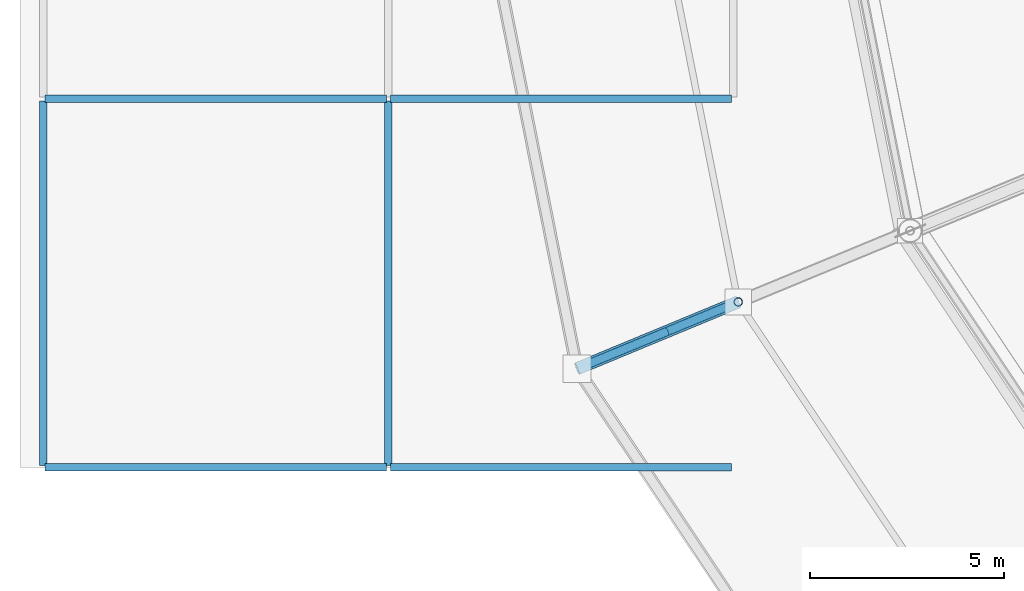
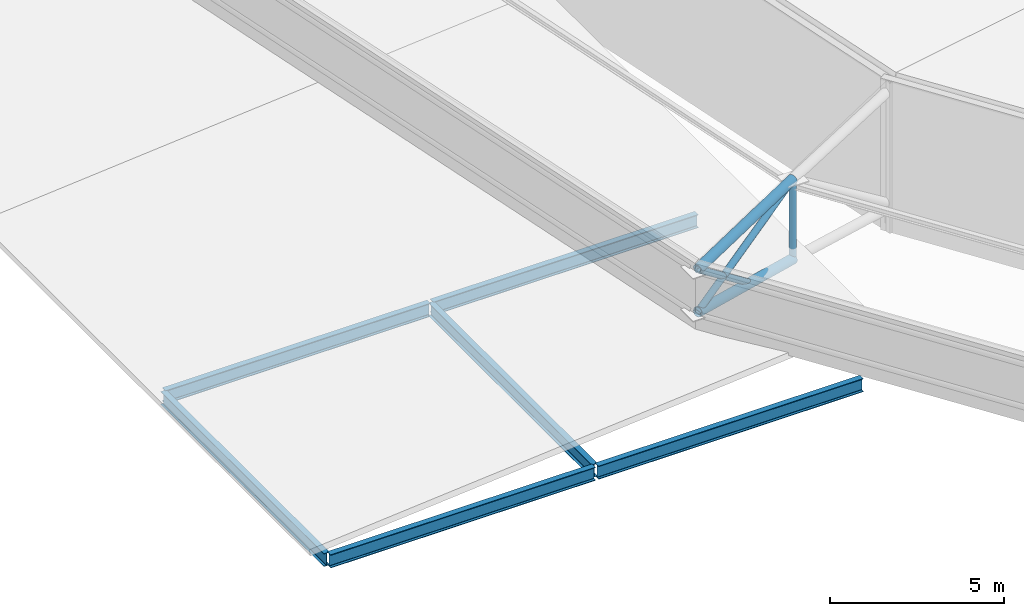
# One storey, part 20 of 146: 6 beams, 5 members.
"""IFC4 building model written with IfcOpenShell, lengths in metres."""

from ifc_helpers import new_model, si_unit, direction, frame, origin, origin_2d, place, context, subcontext, project, spatial, hollow_circle, i_section, extrude, material, material_profile, profile_set, type_object, element, save


model = new_model("IFC4")

# Units and contexts
model_context = context("Model", 3, precision=1e-05, world=origin(), true_north=direction((0.0, 1.0)))
body_context = subcontext(model_context, "Body", "Model", "MODEL_VIEW")
ifc_project = project(units=[si_unit("LENGTHUNIT", "METRE"), si_unit("AREAUNIT", "SQUARE_METRE"), si_unit("VOLUMEUNIT", "CUBIC_METRE"), si_unit("PLANEANGLEUNIT", "RADIAN"), si_unit("MASSUNIT", "GRAM", prefix="KILO")], contexts=[model_context])

# Site, building, storey
site_placement = place(None, origin())
site = spatial("IfcSite", under=ifc_project, at=site_placement, CompositionType="ELEMENT")
building_placement = place(site_placement, origin())
building = spatial("IfcBuilding", under=site, at=building_placement, Name="Candeia Ridge Stadium", CompositionType="ELEMENT")
storey_placement = place(building_placement, frame((0.0, 0.0, 31.800048828125)))
storey = spatial("IfcBuildingStorey", under=building, at=storey_placement, Name="RF", CompositionType="ELEMENT", Elevation=31.800048828125)

# Beams
ifc_material = material(Name="Steel ASTM A572 Grade 50", Category="steel")
ifc_material_profile_1 = material_profile(ifc_material, i_section(OverallWidth=0.194091796875, OverallDepth=0.468994140625, WebThickness=0.0126953125, FlangeThickness=0.0205078125, FilletRadius=0.012939453125, at=origin_2d()), Name="W460x106", Category="steel")
ifc_profile_set_1 = profile_set([ifc_material_profile_1], Name="Steel ASTM A572 Grade 50")
beam_type_1 = type_object("IfcBeamType", Name="Gondola Primary Girder W460x106", PredefinedType="BEAM", material=ifc_profile_set_1)
for number, where, z_axis, x_axis, name in (
    (1, (0.64990234375, 45.0, -0.58447265625), (1.0, 0.0, 0.0), (0.0, 1.0, 0.0), "Structural girder BM-RF-1439"),
    (2, (0.64990234375, 54.5, -0.58447265625), (1.0, 0.0, 0.0), (0.0, 1.0, 0.0), "Structural girder BM-RF-1440"),
    (3, (9.550048828125, 45.0, -0.58447265625), (1.0, 0.0, 0.0), (0.0, 1.0, 0.0), "Structural girder BM-RF-1444"),
    (4, (9.550048828125, 54.5, -0.58447265625), (1.0, 0.0, 0.0), (0.0, 1.0, 0.0), "Structural girder BM-RF-1445"),
):
    element("IfcBeam", number, at=place(storey_placement, frame(where, z_axis=z_axis, x_axis=x_axis)), inside=storey, type_object=beam_type_1, Name=name, PredefinedType="BEAM", context=body_context, shape_type="SweptSolid", body=[
        extrude(i_section(OverallWidth=0.194091796875, OverallDepth=0.468994140625, WebThickness=0.0126953125, FlangeThickness=0.0205078125, FilletRadius=0.012939453125, at=origin_2d()), origin(), (0.0, 0.0, 1.0), 8.800048828125),
    ])
ifc_material_profile_2 = material_profile(ifc_material, i_section(OverallWidth=0.18994140625, OverallDepth=0.45703125, WebThickness=0.009033203125, FlangeThickness=0.014404296875, FilletRadius=0.012939453125, at=origin_2d()), Name="W460x74", Category="steel")
ifc_profile_set_2 = profile_set([ifc_material_profile_2], Name="Steel ASTM A572 Grade 50")
beam_type_2 = type_object("IfcBeamType", Name="Pavilion Steel Girder W460x74", PredefinedType="BEAM", material=ifc_profile_set_2)
for number, where, z_axis, x_axis, name in (
    (5, (0.60009765625, 45.050048828125, -0.57861328125), (0.0, 1.0, 0.0), (-1.0, 0.0, 0.0), "Structural girder BM-RF-1419"),
    (6, (9.5, 45.050048828125, -0.57861328125), (0.0, 1.0, 0.0), (-1.0, 0.0, 0.0), "Structural girder BM-RF-1427"),
):
    element("IfcBeam", number, at=place(storey_placement, frame(where, z_axis=z_axis, x_axis=x_axis)), inside=storey, type_object=beam_type_2, Name=name, PredefinedType="BEAM", context=body_context, shape_type="SweptSolid", body=[
        extrude(i_section(OverallWidth=0.18994140625, OverallDepth=0.45703125, WebThickness=0.009033203125, FlangeThickness=0.014404296875, FilletRadius=0.012939453125, at=origin_2d()), origin(), (0.0, 0.0, 1.0), 9.39990234375),
    ])

# Members
ifc_material_profile_3 = material_profile(ifc_material, hollow_circle(Radius=0.161865234375, WallThickness=0.012451171875, at=origin_2d()), Name="CHS323x12", Category="steel")
ifc_profile_set_3 = profile_set([ifc_material_profile_3], Name="Steel ASTM A572 Grade 50")
member_type_1 = type_object("IfcMemberType", Name="Roof Truss Eaves Chord CHS323x12", PredefinedType="CHORD", material=ifc_profile_set_3)
member_1_placement = place(storey_placement, frame((18.523681640625, 49.263671875, 3.958251953125), z_axis=(-0.913584487427, -0.378438250885, -0.148821620067), x_axis=(0.382699975578, -0.923872679915, 0.0)))
element("IfcMember", 7, at=member_1_placement, inside=storey, type_object=member_type_1, Name="Roof cantilever truss RT-16 top chord 8", PredefinedType="CHORD", context=body_context, shape_type="SweptSolid", body=[
    extrude(hollow_circle(Radius=0.161865234375, WallThickness=0.012451171875, at=origin_2d()), origin(), (0.0, 0.0, 1.0), 4.55078125),
])
member_2_placement = place(storey_placement, frame((18.523681640625, 49.263671875, 1.15185546875), z_axis=(-0.914973571928, -0.379013657665, 0.138463027474), x_axis=(0.382699975578, -0.923872679915, 0.0)))
element("IfcMember", 8, at=member_2_placement, inside=storey, type_object=member_type_1, Name="Roof cantilever truss RT-16 bottom chord 8", PredefinedType="CHORD", context=body_context, shape_type="SweptSolid", body=[
    extrude(hollow_circle(Radius=0.161865234375, WallThickness=0.012451171875, at=origin_2d()), origin(), (0.0, 0.0, 1.0), 4.543701171875),
])
ifc_material_profile_4 = material_profile(ifc_material, hollow_circle(Radius=0.109619140625, WallThickness=0.010009765625, at=origin_2d()), Name="CHS219x10", Category="steel")
ifc_profile_set_4 = profile_set([ifc_material_profile_4], Name="Steel ASTM A572 Grade 50")
member_type_2 = type_object("IfcMemberType", Name="Roof Truss Inner Web Brace CHS219x10", PredefinedType="BRACE", material=ifc_profile_set_4)
member_3_placement = place(storey_placement, frame((18.523681640625, 49.263671875, 3.958251953125), z_axis=(-0.831646749952, -0.344496809804, -0.435529139472), x_axis=(0.382699975578, -0.923872679915, 0.0)))
element("IfcMember", 9, at=member_3_placement, inside=storey, type_object=member_type_2, Name="Roof cantilever truss RT-16 diagonal web 8", PredefinedType="BRACE", context=body_context, shape_type="SweptSolid", body=[
    extrude(hollow_circle(Radius=0.109619140625, WallThickness=0.010009765625, at=origin_2d()), origin(), (0.0, 0.0, 1.0), 4.9990234375),
])
member_4_placement = place(storey_placement, frame((18.523681640625, 49.263671875, 1.15185546875), z_axis=(0.0, 0.0, 1.0), x_axis=(1.0, 0.0, 0.0)))
element("IfcMember", 10, at=member_4_placement, inside=storey, type_object=member_type_2, Name="Roof cantilever truss RT-16 vertical post 7", PredefinedType="BRACE", context=body_context, shape_type="SweptSolid", body=[
    extrude(hollow_circle(Radius=0.109619140625, WallThickness=0.010009765625, at=origin_2d()), origin(), (0.0, 0.0, 1.0), 2.806396484375),
])
member_5_placement = place(storey_placement, frame((16.65283203125, 48.488525390625, 1.43505859375), z_axis=(-0.740592396504, -0.306721963062, 0.597866657054), x_axis=(0.382639293348, -0.923897814256, 0.0)))
element("IfcMember", 11, at=member_5_placement, inside=storey, type_object=member_type_2, Name="Roof cantilever truss RT-16 vertical post 8", PredefinedType="BRACE", context=body_context, shape_type="SweptSolid", body=[
    extrude(hollow_circle(Radius=0.109619140625, WallThickness=0.010009765625, at=origin_2d()), origin(), (0.0, 0.0, 1.0), 3.087646484375),
])

save(model, "model.ifc")
